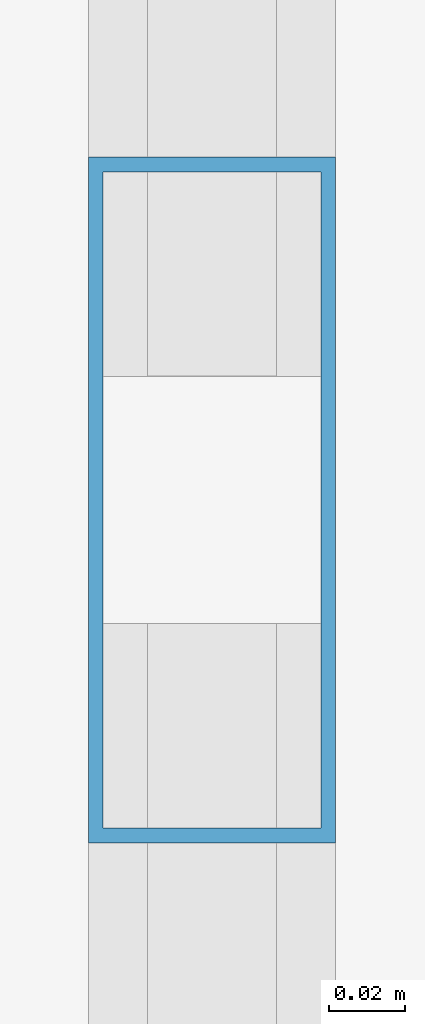
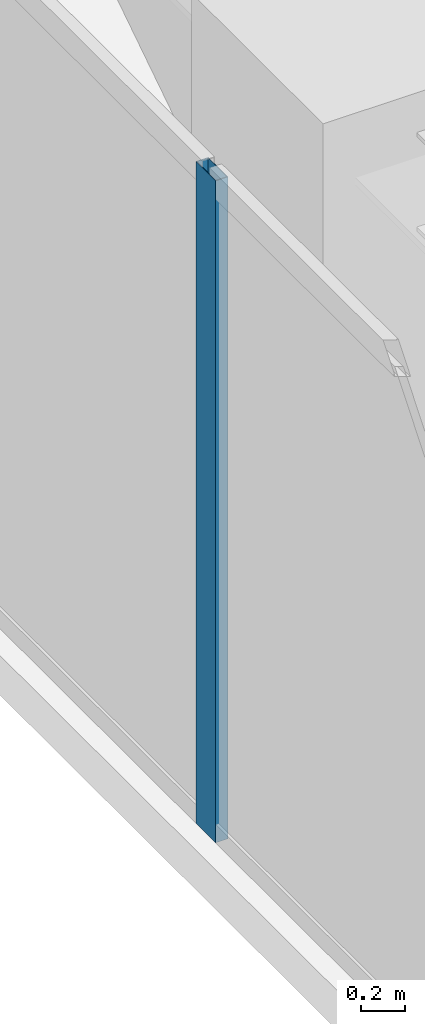
# One storey, part 13 of 30: 1 member, 1 element without a shape of its own.
"""IFC4 building model written with IfcOpenShell, lengths in metres."""

from ifc_helpers import new_model, si_unit, direction, frame, origin, origin_2d, place, context, subcontext, project, spatial, hollow_rectangle, extrude, material, layer, layer_set, material_profile, profile_set, type_object, element, aggregate, save


model = new_model("IFC4")

# Units and contexts
model_context = context("Model", 3, precision=1e-05, world=origin(), true_north=direction((0.0, 1.0)))
body_context = subcontext(model_context, "Body", "Model", "MODEL_VIEW")
ifc_project = project(units=[si_unit("LENGTHUNIT", "METRE"), si_unit("AREAUNIT", "SQUARE_METRE"), si_unit("VOLUMEUNIT", "CUBIC_METRE"), si_unit("PLANEANGLEUNIT", "RADIAN"), si_unit("MASSUNIT", "GRAM", prefix="KILO")], contexts=[model_context])

# Site, building, storey
site_placement = place(None, origin())
site = spatial("IfcSite", under=ifc_project, at=site_placement, CompositionType="ELEMENT")
building_placement = place(site_placement, origin())
building = spatial("IfcBuilding", under=site, at=building_placement, Name="Kiyonajd Concourse Tower", CompositionType="ELEMENT")
storey_placement = place(building_placement, frame((0.0, 0.0, 198.0)))
storey = spatial("IfcBuildingStorey", under=building, at=storey_placement, Name="L50", CompositionType="ELEMENT", Elevation=198.0)

# Curtain wall, member
ifc_material = material(Name="Thermally Broken Anodised Aluminium", Category="aluminium")
ifc_layer = layer(ifc_material, 0.179931640625)
ifc_layer_set = layer_set([ifc_layer], Name="Thermally Broken Anodised Aluminium")
curtain_wall_type = type_object("IfcCurtainWallType", Name="CW-SYS-03", PredefinedType="NOTDEFINED", material=ifc_layer_set)
curtain_wall_placement = place(storey_placement, origin())
curtain_wall = element("IfcCurtainWall", 1, at=curtain_wall_placement, inside=storey, type_object=curtain_wall_type, Name="L50 Unitised Curtain Wall CW3", PredefinedType="NOTDEFINED")
ifc_material_profile = material_profile(ifc_material, hollow_rectangle(XDim=0.06494140625, YDim=0.179931640625, WallThickness=0.00390625, at=origin_2d()), Name="MULL-65x180")
ifc_profile_set = profile_set([ifc_material_profile], Name="Thermally Broken Anodised Aluminium")
member_type = type_object("IfcMemberType", Name="MB-CW-MULL1", PredefinedType="MULLION", material=ifc_profile_set)
member_placement = place(storey_placement, frame((18.139892578125, 53.0146484375, 0.0), z_axis=(0.0, 0.0, 1.0), x_axis=(-1.0, 0.0, 0.0)))
member = element("IfcMember", 2, at=member_placement, type_object=member_type, Name="CW3 mullion 6", PredefinedType="MULLION", context=body_context, shape_type="SweptSolid", body=[
    extrude(hollow_rectangle(XDim=0.06494140625, YDim=0.179931640625, WallThickness=0.00390625, at=origin_2d()), origin(), (0.0, 0.0, 1.0), 3.679931640625),
])
aggregate(curtain_wall, [member])

save(model, "model.ifc")
